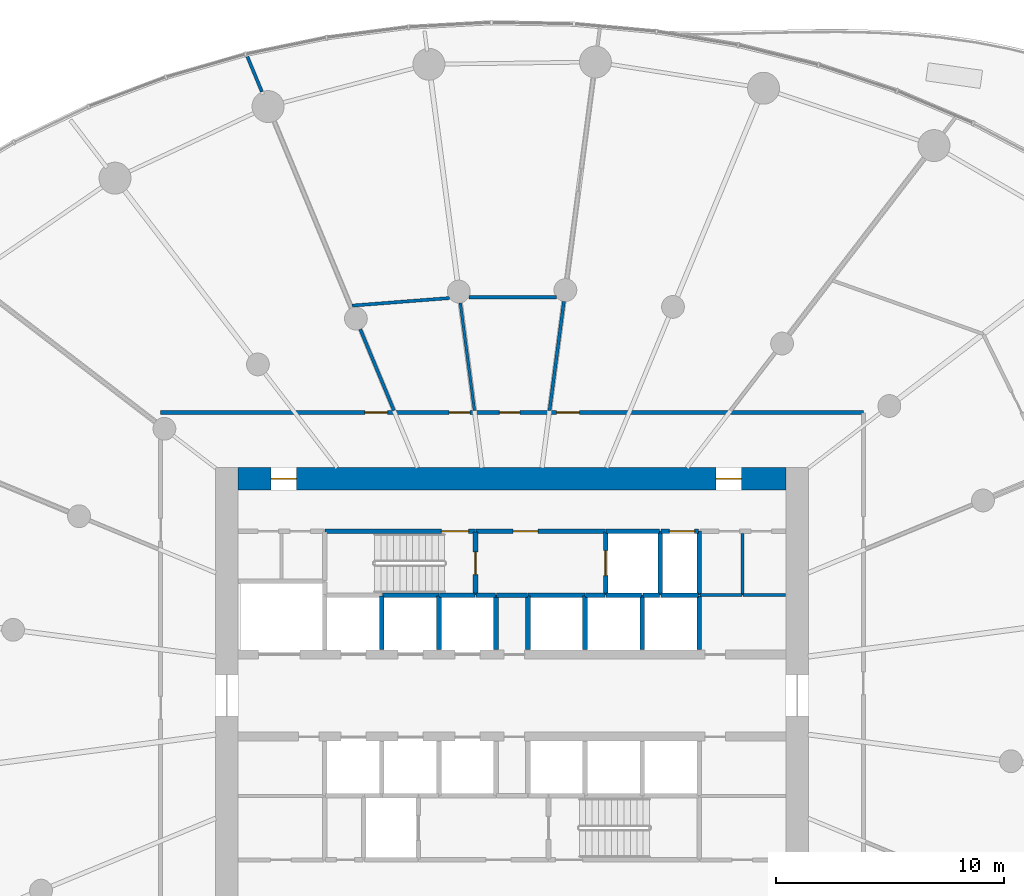
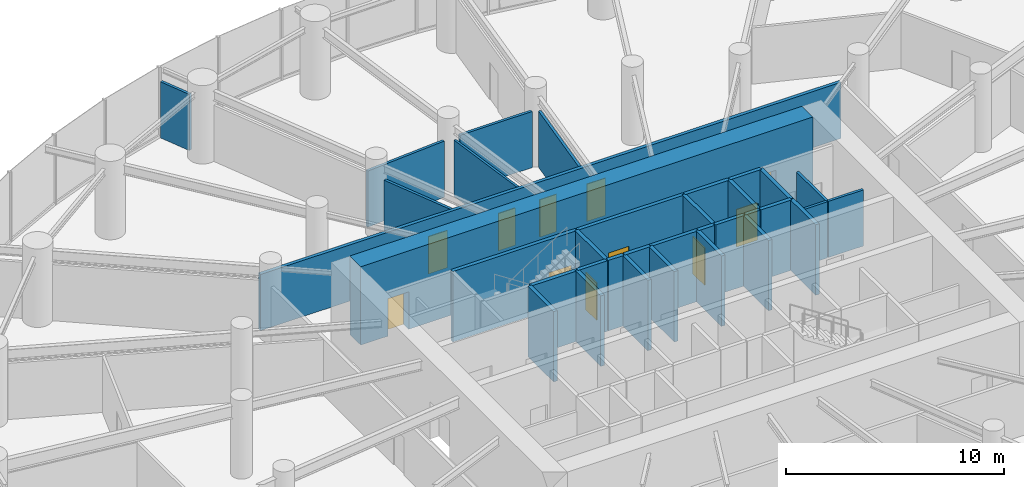
# One storey, part 14 of 21: 35 walls, 11 doors, 11 openings.
"""IFC4 building model written with IfcOpenShell, lengths in metres."""

from ifc_helpers import new_model, si_unit, direction, frame, frame_2d, origin, place, context, subcontext, project, spatial, rectangle, extrude, source, transform, mapped, material, layer, layer_set, type_object, element, fill, save


model = new_model("IFC4")

# Units and contexts
model_context = context("Model", 3, precision=1e-05, world=origin(), true_north=direction((0.0, 1.0)))
body_context = subcontext(model_context, "Body", "Model", "MODEL_VIEW")
ifc_project = project(units=[si_unit("LENGTHUNIT", "METRE"), si_unit("AREAUNIT", "SQUARE_METRE"), si_unit("VOLUMEUNIT", "CUBIC_METRE"), si_unit("PLANEANGLEUNIT", "RADIAN"), si_unit("MASSUNIT", "GRAM", prefix="KILO")], contexts=[model_context])

# Site, building, storey
site_placement = place(None, origin())
site = spatial("IfcSite", under=ifc_project, at=site_placement, CompositionType="ELEMENT")
building_placement = place(site_placement, origin())
building = spatial("IfcBuilding", under=site, at=building_placement, Name="Spindrift Exchange Tower", CompositionType="ELEMENT")
storey_placement = place(building_placement, frame((0.0, 0.0, 18.199951171875)))
storey = spatial("IfcBuildingStorey", under=building, at=storey_placement, Name="L04", CompositionType="ELEMENT", Elevation=18.199951171875)

# Wall, openings, doors
ifc_material_1 = material(Name="Concrete 80 MPa", Category="concrete")
ifc_layer_1 = layer(ifc_material_1, 1.0)
ifc_layer_set_1 = layer_set([ifc_layer_1], Name="RC Core Wall 1000 Concrete 80 MPa")
wall_type_1 = type_object("IfcWallType", Name="RC Core Wall 1000 Concrete 80 MPa", PredefinedType="SHEAR", material=ifc_layer_set_1)
wall_1_placement = place(storey_placement, frame((64.0, 57.5, 0.0), z_axis=(0.0, 0.0, 1.0), x_axis=(-1.0, 0.0, 0.0)))
wall_1 = element("IfcWall", 1, at=wall_1_placement, inside=storey, type_object=wall_type_1, Name="Core wall N L04", PredefinedType="SHEAR", context=body_context, shape_type="SweptSolid", body=[
    extrude(rectangle(XDim=24.0, YDim=1.0, at=frame_2d((12.0, 0.0))), origin(), (0.0, 0.0, 1.0), 4.400146484375),
])
opening_1_placement = place(wall_1_placement, frame((21.449951171875, 0.0, 0.0)))
opening_1 = element("IfcOpeningElement", 2, at=opening_1_placement, cuts=wall_1, Name="Opening L04-D20", PredefinedType="OPENING", context=body_context, shape_type="SweptSolid", body=[
    extrude(rectangle(XDim=1.10009765625, YDim=2.10009765625, at=frame_2d((0.550048828125, 1.050048828125))), frame((0.0, 0.510009765625, 0.0), z_axis=(0.0, -1.0, 0.0), x_axis=(1.0, 0.0, 0.0)), (0.0, 0.0, 1.0), 1.02001953125),
])
opening_2_placement = place(wall_1_placement, frame((1.949951171875, 0.0, 0.0)))
opening_2 = element("IfcOpeningElement", 3, at=opening_2_placement, cuts=wall_1, Name="Opening L04-D21", PredefinedType="OPENING", context=body_context, shape_type="SweptSolid", body=[
    extrude(rectangle(XDim=1.10009765625, YDim=2.10009765625, at=frame_2d((0.550048828125, 1.050048828125))), frame((0.0, 0.510009765625, 0.0), z_axis=(0.0, -1.0, 0.0), x_axis=(1.0, 0.0, 0.0)), (0.0, 0.0, 1.0), 1.02001953125),
])
ifc_material_2 = material(Name="Steel fire door", Category="steel")
door_type_1 = type_object("IfcDoorType", Name="DR-STAIR-1100", OperationType="NOTDEFINED", PredefinedType="DOOR", material=ifc_material_2)
shared_shape_1 = source(origin(), body_context, "Body", "SweptSolid", [
    extrude(rectangle(XDim=1.10009765625, YDim=2.10009765625, at=frame_2d((0.550048828125, 1.050048828125))), frame((0.0, 0.02490234375, 0.0), z_axis=(0.0, -1.0, 0.0), x_axis=(1.0, 0.0, 0.0)), (0.0, 0.0, 1.0), 0.050048828125),
])
door_1_placement = place(opening_1_placement, origin())
door_1 = element("IfcDoor", 4, at=door_1_placement, inside=storey, type_object=door_type_1, Name="L04 Stair door 20", OperationType="SINGLE_SWING_LEFT", OverallHeight=2.10009765625, OverallWidth=1.10009765625, PredefinedType="DOOR", context=body_context, shape_type="MappedRepresentation", body=[
    mapped(shared_shape_1, transform((0.0, 0.0, 0.0), scale=1.0)),
])
fill(opening_1, door_1)
door_2_placement = place(opening_2_placement, origin())
door_2 = element("IfcDoor", 5, at=door_2_placement, inside=storey, type_object=door_type_1, Name="L04 Stair door 21", OperationType="SINGLE_SWING_RIGHT", OverallHeight=2.10009765625, OverallWidth=1.10009765625, PredefinedType="DOOR", context=body_context, shape_type="MappedRepresentation", body=[
    mapped(shared_shape_1, transform((0.0, 0.0, 0.0), scale=1.0)),
])
fill(opening_2, door_2)

# Walls
ifc_material_3 = material(Name="Fire-rated plasterboard partition", Category="gypsum")
ifc_layer_2 = layer(ifc_material_3, 0.139892578125)
ifc_layer_set_2 = layer_set([ifc_layer_2], Name="W-PART-140")
wall_type_2 = type_object("IfcWallType", Name="W-PART-140", PredefinedType="PARTITIONING", material=ifc_layer_set_2)
wall_2_placement = place(storey_placement, frame((53.644287109375, 60.489990234375, 0.0), z_axis=(0.0, 0.0, 1.0), x_axis=(0.130523979823, 0.991445152639, 0.0)))
element("IfcWall", 6, at=wall_2_placement, inside=storey, type_object=wall_type_2, Name="L04 Partition wall 103", PredefinedType="PARTITIONING", context=body_context, shape_type="SweptSolid", body=[
    extrude(rectangle(XDim=4.818359375, YDim=0.139892578125, at=frame_2d((2.4091796875, 0.0))), origin(), (0.0, 0.0, 1.0), 3.150146484375),
])
wall_3_placement = place(storey_placement, frame((62.10009765625, 52.39990234375, 0.0), z_axis=(0.0, 0.0, 1.0), x_axis=(0.0, 1.0, 0.0)))
element("IfcWall", 7, at=wall_3_placement, inside=storey, type_object=wall_type_2, Name="L04 Partition wall 124", PredefinedType="PARTITIONING", context=body_context, shape_type="SweptSolid", body=[
    extrude(rectangle(XDim=2.710205078125, YDim=0.139892578125, at=frame_2d((1.35498046875, 0.0))), origin(), (0.0, 0.0, 1.0), 3.150146484375),
])
wall_4_placement = place(storey_placement, frame((62.070068359375, 52.39990234375, 0.0), z_axis=(0.0, 0.0, 1.0), x_axis=(-1.0, 0.0, 0.0)))
element("IfcWall", 8, at=wall_4_placement, inside=storey, type_object=wall_type_2, Name="L04 Partition wall 128", PredefinedType="PARTITIONING", context=body_context, shape_type="SweptSolid", body=[
    extrude(rectangle(XDim=1.840087890625, YDim=0.139892578125, at=frame_2d((0.919921875, 0.0))), origin(), (0.0, 0.0, 1.0), 3.150146484375),
])
wall_5_placement = place(storey_placement, frame((63.97998046875, 52.39990234375, 0.0), z_axis=(0.0, 0.0, 1.0), x_axis=(-1.0, 0.0, 0.0)))
element("IfcWall", 9, at=wall_5_placement, inside=storey, type_object=wall_type_2, Name="L04 Partition wall 129", PredefinedType="PARTITIONING", context=body_context, shape_type="SweptSolid", body=[
    extrude(rectangle(XDim=1.85009765625, YDim=0.139892578125, at=frame_2d((0.925048828125, 0.0))), origin(), (0.0, 0.0, 1.0), 3.150146484375),
])
ifc_layer_3 = layer(ifc_material_3, 0.139892578125)
ifc_layer_set_3 = layer_set([ifc_layer_3], Name="W-PLANT-140")
wall_type_3 = type_object("IfcWallType", Name="W-PLANT-140", PredefinedType="PARTITIONING", material=ifc_layer_set_3)
wall_6_placement = place(storey_placement, frame((49.25341796875, 65.4169921875, 0.0), z_axis=(0.0, 0.0, 1.0), x_axis=(-0.99700515582, -0.077335110193, 0.0)))
element("IfcWall", 10, at=wall_6_placement, inside=storey, type_object=wall_type_3, Name="L04 Partition wall 106", PredefinedType="PARTITIONING", context=body_context, shape_type="SweptSolid", body=[
    extrude(rectangle(XDim=4.26806640625, YDim=0.139892578125, at=frame_2d((2.134033203125, 0.0))), origin(), (0.0, 0.0, 1.0), 3.150146484375),
])
wall_7_placement = place(storey_placement, frame((46.826416015625, 60.489990234375, 0.0), z_axis=(0.0, 0.0, 1.0), x_axis=(-0.382644558062, 0.923895633817, 0.0)))
element("IfcWall", 11, at=wall_7_placement, inside=storey, type_object=wall_type_3, Name="L04 Partition wall 109", PredefinedType="PARTITIONING", context=body_context, shape_type="SweptSolid", body=[
    extrude(rectangle(XDim=3.854248046875, YDim=0.139892578125, at=frame_2d((1.92724609375, 0.0))), origin(), (0.0, 0.0, 1.0), 3.150146484375),
])
wall_8_placement = place(storey_placement, frame((53.945068359375, 65.451904296875, 0.0), z_axis=(0.0, 0.0, 1.0), x_axis=(-1.0, 0.0, 0.0)))
element("IfcWall", 12, at=wall_8_placement, inside=storey, type_object=wall_type_3, Name="L04 Partition wall 110", PredefinedType="PARTITIONING", context=body_context, shape_type="SweptSolid", body=[
    extrude(rectangle(XDim=3.83837890625, YDim=0.139892578125, at=frame_2d((1.919189453125, 0.0))), origin(), (0.0, 0.0, 1.0), 3.150146484375),
])
wall_9_placement = place(storey_placement, frame((41.039794921875, 74.4599609375, 0.0), z_axis=(0.0, 0.0, 1.0), x_axis=(-0.382571117301, 0.923926046936, 0.0)))
element("IfcWall", 13, at=wall_9_placement, inside=storey, type_object=wall_type_3, Name="L04 Partition wall 131", PredefinedType="PARTITIONING", context=body_context, shape_type="SweptSolid", body=[
    extrude(rectangle(XDim=1.67138671875, YDim=0.139892578125, at=frame_2d((0.835693359375, 0.0))), origin(), (0.0, 0.0, 1.0), 3.150146484375),
])

# Wall, openings, doors
ifc_layer_4 = layer(ifc_material_3, 0.179931640625)
ifc_layer_set_4 = layer_set([ifc_layer_4], Name="W-PLANT-180")
wall_type_4 = type_object("IfcWallType", Name="W-PLANT-180", PredefinedType="PARTITIONING", material=ifc_layer_set_4)
wall_10_placement = place(storey_placement, frame((36.60009765625, 60.39990234375, 0.0), z_axis=(0.0, 0.0, 1.0), x_axis=(1.0, 0.0, 0.0)))
wall_10 = element("IfcWall", 14, at=wall_10_placement, inside=storey, type_object=wall_type_4, Name="L04 Partition wall 62", PredefinedType="PARTITIONING", context=body_context, shape_type="SweptSolid", body=[
    extrude(rectangle(XDim=30.7998046875, YDim=0.179931640625, at=frame_2d((15.39990234375, 0.0))), origin(), (0.0, 0.0, 1.0), 3.150146484375),
])
opening_3_placement = place(wall_10_placement, frame((17.35009765625, 0.0, 0.0)))
opening_3 = element("IfcOpeningElement", 15, at=opening_3_placement, cuts=wall_10, Name="Opening L04-D28", PredefinedType="OPENING", context=body_context, shape_type="SweptSolid", body=[
    extrude(rectangle(XDim=1.0, YDim=2.10009765625, at=frame_2d((0.5, 1.050048828125))), frame((0.0, 0.099853515625, 0.0), z_axis=(0.0, -1.0, 0.0), x_axis=(1.0, 0.0, 0.0)), (0.0, 0.0, 1.0), 0.199951171875),
])
opening_4_placement = place(wall_10_placement, frame((14.85009765625, 0.0, 0.0)))
opening_4 = element("IfcOpeningElement", 16, at=opening_4_placement, cuts=wall_10, Name="Opening L04-D29", PredefinedType="OPENING", context=body_context, shape_type="SweptSolid", body=[
    extrude(rectangle(XDim=0.89990234375, YDim=2.10009765625, at=frame_2d((0.449951171875, 1.050048828125))), frame((0.0, 0.099853515625, 0.0), z_axis=(0.0, -1.0, 0.0), x_axis=(1.0, 0.0, 0.0)), (0.0, 0.0, 1.0), 0.199951171875),
])
opening_5_placement = place(wall_10_placement, frame((12.64990234375, 0.0, 0.0)))
opening_5 = element("IfcOpeningElement", 17, at=opening_5_placement, cuts=wall_10, Name="Opening L04-D30", PredefinedType="OPENING", context=body_context, shape_type="SweptSolid", body=[
    extrude(rectangle(XDim=0.89990234375, YDim=2.10009765625, at=frame_2d((0.449951171875, 1.050048828125))), frame((0.0, 0.099853515625, 0.0), z_axis=(0.0, -1.0, 0.0), x_axis=(1.0, 0.0, 0.0)), (0.0, 0.0, 1.0), 0.199951171875),
])
opening_6_placement = place(wall_10_placement, frame((8.949951171875, 0.0, 0.0)))
opening_6 = element("IfcOpeningElement", 18, at=opening_6_placement, cuts=wall_10, Name="Opening L04-D31", PredefinedType="OPENING", context=body_context, shape_type="SweptSolid", body=[
    extrude(rectangle(XDim=1.0, YDim=2.10009765625, at=frame_2d((0.5, 1.050048828125))), frame((0.0, 0.099853515625, 0.0), z_axis=(0.0, -1.0, 0.0), x_axis=(1.0, 0.0, 0.0)), (0.0, 0.0, 1.0), 0.199951171875),
])
ifc_material_4 = material(Name="Timber-core fire door", Category="wood")
door_type_2 = type_object("IfcDoorType", Name="DR-ROOM-1000", OperationType="NOTDEFINED", PredefinedType="DOOR", material=ifc_material_4)
shared_shape_2 = source(origin(), body_context, "Body", "SweptSolid", [
    extrude(rectangle(XDim=1.0, YDim=2.10009765625, at=frame_2d((0.5, 1.050048828125))), frame((0.0, 0.02490234375, 0.0), z_axis=(0.0, -1.0, 0.0), x_axis=(1.0, 0.0, 0.0)), (0.0, 0.0, 1.0), 0.050048828125),
])
door_3_placement = place(opening_3_placement, origin())
door_3 = element("IfcDoor", 19, at=door_3_placement, inside=storey, type_object=door_type_2, Name="L04 Door 28", OperationType="SINGLE_SWING_LEFT", OverallHeight=2.10009765625, OverallWidth=1.0, PredefinedType="DOOR", context=body_context, shape_type="MappedRepresentation", body=[
    mapped(shared_shape_2, transform((0.0, 0.0, 0.0), scale=1.0)),
])
fill(opening_3, door_3)
door_4_placement = place(opening_6_placement, origin())
door_4 = element("IfcDoor", 20, at=door_4_placement, inside=storey, type_object=door_type_2, Name="L04 Door 31", OperationType="SINGLE_SWING_RIGHT", OverallHeight=2.10009765625, OverallWidth=1.0, PredefinedType="DOOR", context=body_context, shape_type="MappedRepresentation", body=[
    mapped(shared_shape_2, transform((0.0, 0.0, 0.0), scale=1.0)),
])
fill(opening_6, door_4)
ifc_material_5 = material(Name="Laminate washroom door", Category="wood")
door_type_3 = type_object("IfcDoorType", Name="DR-WC-900", OperationType="NOTDEFINED", PredefinedType="DOOR", material=ifc_material_5)
shared_shape_3 = source(origin(), body_context, "Body", "SweptSolid", [
    extrude(rectangle(XDim=0.89990234375, YDim=2.10009765625, at=frame_2d((0.449951171875, 1.050048828125))), frame((0.0, 0.02490234375, 0.0), z_axis=(0.0, -1.0, 0.0), x_axis=(1.0, 0.0, 0.0)), (0.0, 0.0, 1.0), 0.050048828125),
])
door_5_placement = place(opening_4_placement, origin())
door_5 = element("IfcDoor", 21, at=door_5_placement, inside=storey, type_object=door_type_3, Name="L04 WC door 29", OperationType="SINGLE_SWING_RIGHT", OverallHeight=2.10009765625, OverallWidth=0.89990234375, PredefinedType="DOOR", context=body_context, shape_type="MappedRepresentation", body=[
    mapped(shared_shape_3, transform((0.0, 0.0, 0.0), scale=1.0)),
])
fill(opening_4, door_5)
door_6_placement = place(opening_5_placement, origin())
door_6 = element("IfcDoor", 22, at=door_6_placement, inside=storey, type_object=door_type_3, Name="L04 WC door 30", OperationType="SINGLE_SWING_LEFT", OverallHeight=2.10009765625, OverallWidth=0.89990234375, PredefinedType="DOOR", context=body_context, shape_type="MappedRepresentation", body=[
    mapped(shared_shape_3, transform((0.0, 0.0, 0.0), scale=1.0)),
])
fill(opening_5, door_6)

# Wall, opening, door
ifc_material_6 = material(Name="Concrete 40 MPa", Category="concrete")
ifc_layer_5 = layer(ifc_material_6, 0.199951171875)
ifc_layer_set_5 = layer_set([ifc_layer_5], Name="W-SHAFT-200")
wall_type_5 = type_object("IfcWallType", Name="W-SHAFT-200", PredefinedType="SOLIDWALL", material=ifc_layer_set_5)
wall_11_placement = place(storey_placement, frame((56.10009765625, 55.169921875, 0.0), z_axis=(0.0, 0.0, 1.0), x_axis=(0.0, -1.0, 0.0)))
wall_11 = element("IfcWall", 23, at=wall_11_placement, inside=storey, type_object=wall_type_5, Name="L04 Shaft wall 14", PredefinedType="SOLIDWALL", context=body_context, shape_type="SweptSolid", body=[
    extrude(rectangle(XDim=2.77001953125, YDim=0.199951171875, at=frame_2d((1.385009765625, 0.0))), origin(), (0.0, 0.0, 1.0), 3.949951171875),
])
opening_7_placement = place(wall_11_placement, frame((0.820068359375, 0.0, 0.0)))
opening_7 = element("IfcOpeningElement", 24, at=opening_7_placement, cuts=wall_11, Name="Opening L04-D9", PredefinedType="OPENING", context=body_context, shape_type="SweptSolid", body=[
    extrude(rectangle(XDim=1.10009765625, YDim=2.10009765625, at=frame_2d((0.550048828125, 1.050048828125))), frame((0.0, 0.10986328125, 0.0), z_axis=(0.0, -1.0, 0.0), x_axis=(1.0, 0.0, 0.0)), (0.0, 0.0, 1.0), 0.219970703125),
])
ifc_material_7 = material(Name="Stainless steel landing door", Category="steel")
door_type_4 = type_object("IfcDoorType", Name="DR-LANDING-1100-SL", OperationType="DOUBLE_DOOR_SLIDING", PredefinedType="USERDEFINED", material=ifc_material_7)
shared_shape_4 = source(origin(), body_context, "Body", "SweptSolid", [
    extrude(rectangle(XDim=1.10009765625, YDim=2.10009765625, at=frame_2d((0.550048828125, 1.050048828125))), frame((0.0, 0.02490234375, 0.0), z_axis=(0.0, -1.0, 0.0), x_axis=(1.0, 0.0, 0.0)), (0.0, 0.0, 1.0), 0.050048828125),
])
door_7_placement = place(opening_7_placement, origin())
door_7 = element("IfcDoor", 25, at=door_7_placement, inside=storey, type_object=door_type_4, Name="L04 Lift landing door 9", ObjectType="LANDING DOOR", OperationType="DOUBLE_DOOR_SLIDING", OverallHeight=2.10009765625, OverallWidth=1.10009765625, PredefinedType="USERDEFINED", context=body_context, shape_type="MappedRepresentation", body=[
    mapped(shared_shape_4, transform((0.0, 0.0, 0.0), scale=1.0)),
])
fill(opening_7, door_7)

# Walls
for number, where, z_axis, x_axis, name in (
    (26, (58.5, 52.39990234375, 0.0), (0.0, 0.0, 1.0), (0.0, 1.0, 0.0), "L04 Shaft wall 15"),
    (27, (60.199951171875, 52.39990234375, 0.0), (0.0, 0.0, 1.0), (0.0, 1.0, 0.0), "L04 Shaft wall 16"),
):
    element("IfcWall", number, at=place(storey_placement, frame(where, z_axis=z_axis, x_axis=x_axis)), inside=storey, type_object=wall_type_5, Name=name, PredefinedType="SOLIDWALL", context=body_context, shape_type="SweptSolid", body=[
        extrude(rectangle(XDim=2.800048828125, YDim=0.199951171875, at=frame_2d((1.39990234375, 0.0))), origin(), (0.0, 0.0, 1.0), 3.949951171875),
    ])
wall_12_placement = place(storey_placement, frame((55.199951171875, 52.39990234375, 0.0), z_axis=(0.0, 0.0, 1.0), x_axis=(-1.0, 0.0, 0.0)))
element("IfcWall", 28, at=wall_12_placement, inside=storey, type_object=wall_type_5, Name="L04 Shaft wall 22", PredefinedType="SOLIDWALL", context=body_context, shape_type="SweptSolid", body=[
    extrude(rectangle(XDim=2.5, YDim=0.199951171875, at=frame_2d((1.25, 0.0))), origin(), (0.0, 0.0, 1.0), 3.949951171875),
])
wall_13_placement = place(storey_placement, frame((58.469970703125, 55.199951171875, 0.0), z_axis=(0.0, 0.0, 1.0), x_axis=(-1.0, 0.0, 0.0)))
element("IfcWall", 29, at=wall_13_placement, inside=storey, type_object=wall_type_5, Name="L04 Shaft wall 26", PredefinedType="SOLIDWALL", context=body_context, shape_type="SweptSolid", body=[
    extrude(rectangle(XDim=2.340087890625, YDim=0.199951171875, at=frame_2d((1.169921875, 0.0))), origin(), (0.0, 0.0, 1.0), 3.949951171875),
])
wall_14_placement = place(storey_placement, frame((51.300048828125, 50.010009765625, 0.0), z_axis=(0.0, 0.0, 1.0), x_axis=(0.0, 1.0, 0.0)))
element("IfcWall", 30, at=wall_14_placement, inside=storey, type_object=wall_type_5, Name="L04 Shaft wall 34", PredefinedType="SOLIDWALL", context=body_context, shape_type="SweptSolid", body=[
    extrude(rectangle(XDim=2.389892578125, YDim=0.199951171875, at=frame_2d((1.19482421875, 0.0))), origin(), (0.0, 0.0, 1.0), 3.949951171875),
])
for number, where, z_axis, x_axis, name in (
    (31, (52.699951171875, 52.3701171875, 0.0), (0.0, 0.0, 1.0), (0.0, -1.0, 0.0), "L04 Shaft wall 36"),
    (32, (55.199951171875, 50.010009765625, 0.0), (0.0, 0.0, 1.0), (0.0, 1.0, 0.0), "L04 Shaft wall 38"),
):
    element("IfcWall", number, at=place(storey_placement, frame(where, z_axis=z_axis, x_axis=x_axis)), inside=storey, type_object=wall_type_5, Name=name, PredefinedType="SOLIDWALL", context=body_context, shape_type="SweptSolid", body=[
        extrude(rectangle(XDim=2.360107421875, YDim=0.199951171875, at=frame_2d((1.18017578125, 0.0))), origin(), (0.0, 0.0, 1.0), 3.949951171875),
    ])
wall_15_placement = place(storey_placement, frame((57.699951171875, 50.010009765625, 0.0), z_axis=(0.0, 0.0, 1.0), x_axis=(0.0, 1.0, 0.0)))
element("IfcWall", 33, at=wall_15_placement, inside=storey, type_object=wall_type_5, Name="L04 Shaft wall 40", PredefinedType="SOLIDWALL", context=body_context, shape_type="SweptSolid", body=[
    extrude(rectangle(XDim=2.389892578125, YDim=0.199951171875, at=frame_2d((1.19482421875, 0.0))), origin(), (0.0, 0.0, 1.0), 3.949951171875),
])
wall_16_placement = place(storey_placement, frame((60.199951171875, 50.010009765625, 0.0), z_axis=(0.0, 0.0, 1.0), x_axis=(0.0, 1.0, 0.0)))
element("IfcWall", 34, at=wall_16_placement, inside=storey, type_object=wall_type_5, Name="L04 Shaft wall 42", PredefinedType="SOLIDWALL", context=body_context, shape_type="SweptSolid", body=[
    extrude(rectangle(XDim=2.360107421875, YDim=0.199951171875, at=frame_2d((1.18017578125, 0.0))), origin(), (0.0, 0.0, 1.0), 3.949951171875),
])
wall_17_placement = place(storey_placement, frame((60.169921875, 52.39990234375, 0.0), z_axis=(0.0, 0.0, 1.0), x_axis=(-1.0, 0.0, 0.0)))
element("IfcWall", 35, at=wall_17_placement, inside=storey, type_object=wall_type_5, Name="L04 Shaft wall 46", PredefinedType="SOLIDWALL", context=body_context, shape_type="SweptSolid", body=[
    extrude(rectangle(XDim=1.639892578125, YDim=0.199951171875, at=frame_2d((0.81982421875, 0.0))), origin(), (0.0, 0.0, 1.0), 3.949951171875),
])

# Wall, opening, door
wall_18_placement = place(storey_placement, frame((60.169921875, 55.199951171875, 0.0), z_axis=(0.0, 0.0, 1.0), x_axis=(-1.0, 0.0, 0.0)))
wall_18 = element("IfcWall", 36, at=wall_18_placement, inside=storey, type_object=wall_type_5, Name="L04 Shaft wall 47", PredefinedType="SOLIDWALL", context=body_context, shape_type="SweptSolid", body=[
    extrude(rectangle(XDim=1.639892578125, YDim=0.199951171875, at=frame_2d((0.81982421875, 0.0))), origin(), (0.0, 0.0, 1.0), 3.949951171875),
])
opening_8_placement = place(wall_18_placement, frame((0.169921875, 0.0, 0.0)))
opening_8 = element("IfcOpeningElement", 37, at=opening_8_placement, cuts=wall_18, Name="Opening L04-D11", PredefinedType="OPENING", context=body_context, shape_type="SweptSolid", body=[
    extrude(rectangle(XDim=1.10009765625, YDim=2.10009765625, at=frame_2d((0.550048828125, 1.050048828125))), frame((0.0, 0.10986328125, 0.0), z_axis=(0.0, -1.0, 0.0), x_axis=(1.0, 0.0, 0.0)), (0.0, 0.0, 1.0), 0.219970703125),
])
door_8_placement = place(opening_8_placement, origin())
door_8 = element("IfcDoor", 38, at=door_8_placement, inside=storey, type_object=door_type_4, Name="L04 Lift landing door 11", ObjectType="LANDING DOOR", OperationType="DOUBLE_DOOR_SLIDING", OverallHeight=2.10009765625, OverallWidth=1.10009765625, PredefinedType="USERDEFINED", context=body_context, shape_type="MappedRepresentation", body=[
    mapped(shared_shape_4, transform((0.0, 0.0, 0.0), scale=1.0)),
])
fill(opening_8, door_8)

# Walls
wall_19_placement = place(storey_placement, frame((57.669921875, 52.39990234375, 0.0), z_axis=(0.0, 0.0, 1.0), x_axis=(-1.0, 0.0, 0.0)))
element("IfcWall", 39, at=wall_19_placement, inside=storey, type_object=wall_type_5, Name="L04 Shaft wall 51", PredefinedType="SOLIDWALL", context=body_context, shape_type="SweptSolid", body=[
    extrude(rectangle(XDim=1.5400390625, YDim=0.199951171875, at=frame_2d((0.77001953125, 0.0))), origin(), (0.0, 0.0, 1.0), 3.949951171875),
])
wall_20_placement = place(storey_placement, frame((51.330078125, 52.39990234375, 0.0), z_axis=(0.0, 0.0, 1.0), x_axis=(1.0, 0.0, 0.0)))
element("IfcWall", 40, at=wall_20_placement, inside=storey, type_object=wall_type_5, Name="L04 Shaft wall 53", PredefinedType="SOLIDWALL", context=body_context, shape_type="SweptSolid", body=[
    extrude(rectangle(XDim=1.33984375, YDim=0.199951171875, at=frame_2d((0.669921875, 0.0))), origin(), (0.0, 0.0, 1.0), 3.949951171875),
])
wall_21_placement = place(storey_placement, frame((56.070068359375, 52.39990234375, 0.0), z_axis=(0.0, 0.0, 1.0), x_axis=(-1.0, 0.0, 0.0)))
element("IfcWall", 41, at=wall_21_placement, inside=storey, type_object=wall_type_5, Name="L04 Shaft wall 57", PredefinedType="SOLIDWALL", context=body_context, shape_type="SweptSolid", body=[
    extrude(rectangle(XDim=0.840087890625, YDim=0.199951171875, at=frame_2d((0.419921875, 0.0))), origin(), (0.0, 0.0, 1.0), 3.949951171875),
])
wall_22_placement = place(storey_placement, frame((58.469970703125, 52.39990234375, 0.0), z_axis=(0.0, 0.0, 1.0), x_axis=(-1.0, 0.0, 0.0)))
element("IfcWall", 42, at=wall_22_placement, inside=storey, type_object=wall_type_5, Name="L04 Shaft wall 59", PredefinedType="SOLIDWALL", context=body_context, shape_type="SweptSolid", body=[
    extrude(rectangle(XDim=0.739990234375, YDim=0.199951171875, at=frame_2d((0.3701171875, 0.0))), origin(), (0.0, 0.0, 1.0), 3.949951171875),
])

# Wall, opening, door
ifc_layer_6 = layer(ifc_material_6, 0.199951171875)
ifc_layer_set_6 = layer_set([ifc_layer_6], Name="W-SHAFT-200-LB")
wall_type_6 = type_object("IfcWallType", Name="W-SHAFT-200-LB", PredefinedType="SOLIDWALL", material=ifc_layer_set_6)
wall_23_placement = place(storey_placement, frame((50.39990234375, 55.199951171875, 0.0), z_axis=(0.0, 0.0, 1.0), x_axis=(-1.0, 0.0, 0.0)))
wall_23 = element("IfcWall", 43, at=wall_23_placement, inside=storey, type_object=wall_type_6, Name="L04 Shaft wall 1", PredefinedType="SOLIDWALL", context=body_context, shape_type="SweptSolid", body=[
    extrude(rectangle(XDim=6.599853515625, YDim=0.199951171875, at=frame_2d((3.2998046875, 0.0))), origin(), (0.0, 0.0, 1.0), 3.949951171875),
])
opening_9_placement = place(wall_23_placement, frame((0.300048828125, 0.0, 0.0)))
opening_9 = element("IfcOpeningElement", 44, at=opening_9_placement, cuts=wall_23, Name="Opening L04-D13", PredefinedType="OPENING", context=body_context, shape_type="SweptSolid", body=[
    extrude(rectangle(XDim=1.199951171875, YDim=2.10009765625, at=frame_2d((0.60009765625, 1.050048828125))), frame((0.0, 0.10986328125, 0.0), z_axis=(0.0, -1.0, 0.0), x_axis=(1.0, 0.0, 0.0)), (0.0, 0.0, 1.0), 0.219970703125),
])
door_type_5 = type_object("IfcDoorType", Name="DR-STAIR-1200", OperationType="NOTDEFINED", PredefinedType="DOOR", material=ifc_material_2)
shared_shape_5 = source(origin(), body_context, "Body", "SweptSolid", [
    extrude(rectangle(XDim=1.199951171875, YDim=2.10009765625, at=frame_2d((0.60009765625, 1.050048828125))), frame((0.0, 0.02490234375, 0.0), z_axis=(0.0, -1.0, 0.0), x_axis=(1.0, 0.0, 0.0)), (0.0, 0.0, 1.0), 0.050048828125),
])
door_9_placement = place(opening_9_placement, origin())
door_9 = element("IfcDoor", 45, at=door_9_placement, inside=storey, type_object=door_type_5, Name="L04 Stair door 13", OperationType="SINGLE_SWING_RIGHT", OverallHeight=2.10009765625, OverallWidth=1.199951171875, PredefinedType="DOOR", context=body_context, shape_type="MappedRepresentation", body=[
    mapped(shared_shape_5, transform((0.0, 0.0, 0.0), scale=1.0)),
])
fill(opening_9, door_9)

wall_24_placement = place(storey_placement, frame((56.10009765625, 55.199951171875, 0.0), z_axis=(0.0, 0.0, 1.0), x_axis=(-1.0, 0.0, 0.0)))
wall_24 = element("IfcWall", 46, at=wall_24_placement, inside=storey, type_object=wall_type_6, Name="L04 Shaft wall 6", PredefinedType="SOLIDWALL", context=body_context, shape_type="SweptSolid", body=[
    extrude(rectangle(XDim=5.670166015625, YDim=0.199951171875, at=frame_2d((2.8349609375, 0.0))), origin(), (0.0, 0.0, 1.0), 3.949951171875),
])
opening_10_placement = place(wall_24_placement, frame((2.949951171875, 0.0, 0.0)))
opening_10 = element("IfcOpeningElement", 47, at=opening_10_placement, cuts=wall_24, Name="Opening L04-D15", PredefinedType="OPENING", context=body_context, shape_type="SweptSolid", body=[
    extrude(rectangle(XDim=1.10009765625, YDim=2.10009765625, at=frame_2d((0.550048828125, 1.050048828125))), frame((0.0, 0.10986328125, 0.0), z_axis=(0.0, -1.0, 0.0), x_axis=(1.0, 0.0, 0.0)), (0.0, 0.0, 1.0), 0.219970703125),
])
door_type_6 = type_object("IfcDoorType", Name="DR-LOBBY-1100", OperationType="NOTDEFINED", PredefinedType="DOOR", material=ifc_material_4)
shared_shape_6 = source(origin(), body_context, "Body", "SweptSolid", [
    extrude(rectangle(XDim=1.10009765625, YDim=2.10009765625, at=frame_2d((0.550048828125, 1.050048828125))), frame((0.0, 0.02490234375, 0.0), z_axis=(0.0, -1.0, 0.0), x_axis=(1.0, 0.0, 0.0)), (0.0, 0.0, 1.0), 0.050048828125),
])
door_10_placement = place(opening_10_placement, origin())
door_10 = element("IfcDoor", 48, at=door_10_placement, inside=storey, type_object=door_type_6, Name="L04 Lobby door 15", OperationType="SINGLE_SWING_RIGHT", OverallHeight=2.10009765625, OverallWidth=1.10009765625, PredefinedType="DOOR", context=body_context, shape_type="MappedRepresentation", body=[
    mapped(shared_shape_6, transform((0.0, 0.0, 0.0), scale=1.0)),
])
fill(opening_10, door_10)

wall_25_placement = place(storey_placement, frame((50.39990234375, 52.39990234375, 0.0), z_axis=(0.0, 0.0, 1.0), x_axis=(0.0, 1.0, 0.0)))
wall_25 = element("IfcWall", 49, at=wall_25_placement, inside=storey, type_object=wall_type_6, Name="L04 Shaft wall 11", PredefinedType="SOLIDWALL", context=body_context, shape_type="SweptSolid", body=[
    extrude(rectangle(XDim=2.77001953125, YDim=0.199951171875, at=frame_2d((1.385009765625, 0.0))), origin(), (0.0, 0.0, 1.0), 3.949951171875),
])
opening_11_placement = place(wall_25_placement, frame((0.89990234375, 0.0, 0.0)))
opening_11 = element("IfcOpeningElement", 50, at=opening_11_placement, cuts=wall_25, Name="Opening L04-D14", PredefinedType="OPENING", context=body_context, shape_type="SweptSolid", body=[
    extrude(rectangle(XDim=1.0, YDim=2.10009765625, at=frame_2d((0.5, 1.050048828125))), frame((0.0, 0.10986328125, 0.0), z_axis=(0.0, -1.0, 0.0), x_axis=(1.0, 0.0, 0.0)), (0.0, 0.0, 1.0), 0.219970703125),
])
door_type_7 = type_object("IfcDoorType", Name="DR-STAIR-1000", OperationType="NOTDEFINED", PredefinedType="DOOR", material=ifc_material_2)
shared_shape_7 = source(origin(), body_context, "Body", "SweptSolid", [
    extrude(rectangle(XDim=1.0, YDim=2.10009765625, at=frame_2d((0.5, 1.050048828125))), frame((0.0, 0.02490234375, 0.0), z_axis=(0.0, -1.0, 0.0), x_axis=(1.0, 0.0, 0.0)), (0.0, 0.0, 1.0), 0.050048828125),
])
door_11_placement = place(opening_11_placement, origin())
door_11 = element("IfcDoor", 51, at=door_11_placement, inside=storey, type_object=door_type_7, Name="L04 Stair door 14", OperationType="SINGLE_SWING_LEFT", OverallHeight=2.10009765625, OverallWidth=1.0, PredefinedType="DOOR", context=body_context, shape_type="MappedRepresentation", body=[
    mapped(shared_shape_7, transform((0.0, 0.0, 0.0), scale=1.0)),
])
fill(opening_11, door_11)

# Walls
wall_26_placement = place(storey_placement, frame((48.800048828125, 52.39990234375, 0.0), z_axis=(0.0, 0.0, 1.0), x_axis=(-1.0, 0.0, 0.0)))
element("IfcWall", 52, at=wall_26_placement, inside=storey, type_object=wall_type_6, Name="L04 Shaft wall 20", PredefinedType="SOLIDWALL", context=body_context, shape_type="SweptSolid", body=[
    extrude(rectangle(XDim=2.469970703125, YDim=0.199951171875, at=frame_2d((1.23486328125, 0.0))), origin(), (0.0, 0.0, 1.0), 3.949951171875),
])
for number, where, z_axis, x_axis, name in (
    (53, (46.300048828125, 50.010009765625, 0.0), (0.0, 0.0, 1.0), (0.0, 1.0, 0.0), "L04 Shaft wall 30"),
    (54, (48.800048828125, 50.010009765625, 0.0), (0.0, 0.0, 1.0), (0.0, 1.0, 0.0), "L04 Shaft wall 32"),
):
    element("IfcWall", number, at=place(storey_placement, frame(where, z_axis=z_axis, x_axis=x_axis)), inside=storey, type_object=wall_type_6, Name=name, PredefinedType="SOLIDWALL", context=body_context, shape_type="SweptSolid", body=[
        extrude(rectangle(XDim=2.360107421875, YDim=0.199951171875, at=frame_2d((1.18017578125, 0.0))), origin(), (0.0, 0.0, 1.0), 3.949951171875),
    ])
wall_27_placement = place(storey_placement, frame((50.3701171875, 52.39990234375, 0.0), z_axis=(0.0, 0.0, 1.0), x_axis=(-1.0, 0.0, 0.0)))
element("IfcWall", 55, at=wall_27_placement, inside=storey, type_object=wall_type_6, Name="L04 Shaft wall 49", PredefinedType="SOLIDWALL", context=body_context, shape_type="SweptSolid", body=[
    extrude(rectangle(XDim=1.5400390625, YDim=0.199951171875, at=frame_2d((0.77001953125, 0.0))), origin(), (0.0, 0.0, 1.0), 3.949951171875),
])
wall_28_placement = place(storey_placement, frame((51.27001953125, 52.39990234375, 0.0), z_axis=(0.0, 0.0, 1.0), x_axis=(-1.0, 0.0, 0.0)))
element("IfcWall", 56, at=wall_28_placement, inside=storey, type_object=wall_type_6, Name="L04 Shaft wall 55", PredefinedType="SOLIDWALL", context=body_context, shape_type="SweptSolid", body=[
    extrude(rectangle(XDim=0.840087890625, YDim=0.199951171875, at=frame_2d((0.419921875, 0.0))), origin(), (0.0, 0.0, 1.0), 3.949951171875),
])
ifc_layer_7 = layer(ifc_material_3, 0.1201171875)
ifc_layer_set_7 = layer_set([ifc_layer_7], Name="W-WET-120")
wall_type_7 = type_object("IfcWallType", Name="W-WET-120", PredefinedType="PARTITIONING", material=ifc_layer_set_7)
wall_29_placement = place(storey_placement, frame((50.355712890625, 60.489990234375, 0.0), z_axis=(0.0, 0.0, 1.0), x_axis=(-0.130548834981, 0.991441880135, 0.0)))
element("IfcWall", 57, at=wall_29_placement, inside=storey, type_object=wall_type_7, Name="L04 Partition wall 144", PredefinedType="PARTITIONING", context=body_context, shape_type="SweptSolid", body=[
    extrude(rectangle(XDim=4.75390625, YDim=0.1201171875, at=frame_2d((2.376953125, 0.0))), origin(), (0.0, 0.0, 1.0), 3.150146484375),
])

save(model, "model.ifc")
